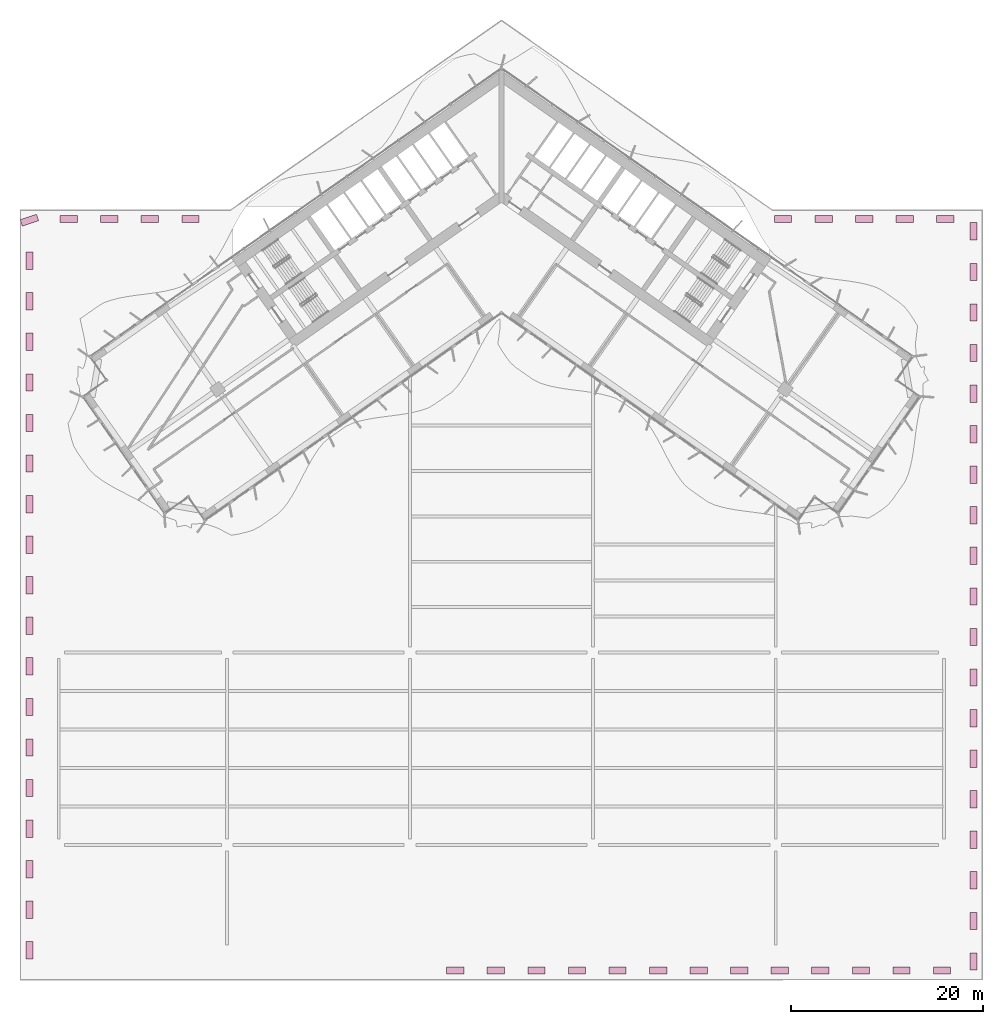
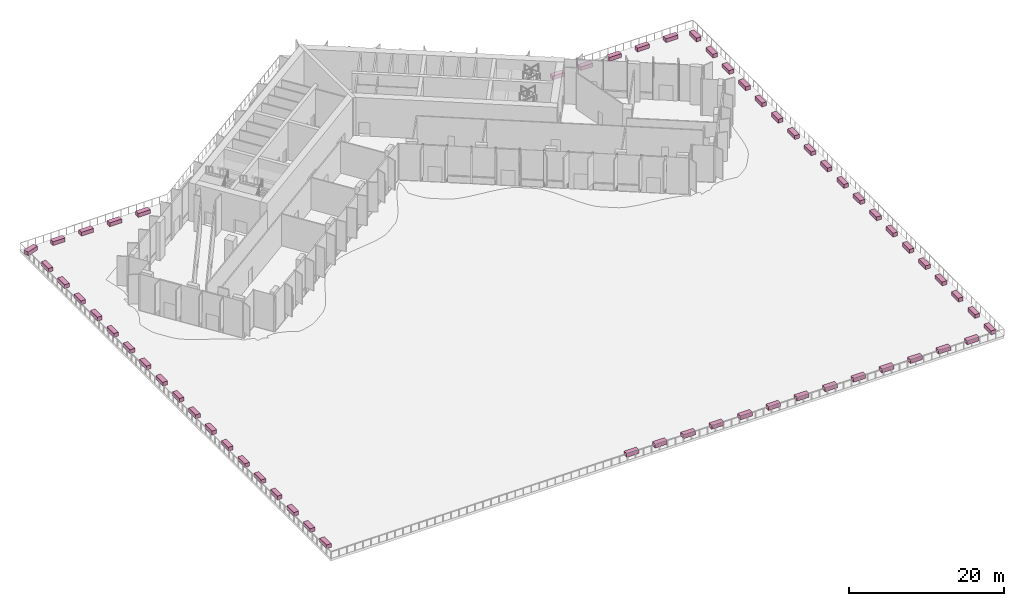
# One storey, part 27 of 27: 60 furniture elements.
"""IFC4 building model written with IfcOpenShell, lengths in metres."""

from ifc_helpers import new_model, si_unit, direction, frame, origin, origin_2d, place, context, subcontext, project, spatial, rectangle, extrude, material, type_object, element, save


model = new_model("IFC4")

# Units and contexts
model_context = context("Model", 3, precision=1e-05, world=origin(), true_north=direction((0.0, 1.0)))
body_context = subcontext(model_context, "Body", "Model", "MODEL_VIEW")
ifc_project = project(units=[si_unit("LENGTHUNIT", "METRE"), si_unit("AREAUNIT", "SQUARE_METRE"), si_unit("VOLUMEUNIT", "CUBIC_METRE"), si_unit("PLANEANGLEUNIT", "RADIAN"), si_unit("MASSUNIT", "GRAM", prefix="KILO")], contexts=[model_context])

# Site, building, storey
site_placement = place(None, origin())
site = spatial("IfcSite", under=ifc_project, at=site_placement, CompositionType="ELEMENT")
building_placement = place(site_placement, origin())
building = spatial("IfcBuilding", under=site, at=building_placement, Name="Tel Ilan Convention Tower", CompositionType="ELEMENT")
storey_placement = place(building_placement, frame((0.0, 0.0, 48.5)))
storey = spatial("IfcBuildingStorey", under=building, at=storey_placement, Name="L07", CompositionType="ELEMENT", Elevation=48.5)

# Furniture
ifc_material = material(Name="Concrete C30/37", Category="concrete")
furniture_type = type_object("IfcFurnitureType", Name="PLANTER 1800x700", AssemblyPlace="NOTDEFINED", PredefinedType="NOTDEFINED", material=ifc_material)
for number, where, z_axis, x_axis, name in (
    (1, (-49.050048828125, -78.942626953125, 0.0), (0.0, 0.0, 1.0), (0.0, 1.0, 0.0), "PLANTER"),
    (2, (-49.050048828125, -74.727783203125, 0.0), (0.0, 0.0, 1.0), (0.0, 1.0, 0.0), "PLANTER"),
    (3, (-49.050048828125, -70.51318359375, 0.0), (0.0, 0.0, 1.0), (0.0, 1.0, 0.0), "PLANTER"),
    (4, (-49.050048828125, -66.29833984375, 0.0), (0.0, 0.0, 1.0), (0.0, 1.0, 0.0), "PLANTER"),
    (5, (-49.050048828125, -62.08349609375, 0.0), (0.0, 0.0, 1.0), (0.0, 1.0, 0.0), "PLANTER"),
    (6, (-49.050048828125, -57.86865234375, 0.0), (0.0, 0.0, 1.0), (0.0, 1.0, 0.0), "PLANTER"),
    (7, (-49.050048828125, -53.654052734375, 0.0), (0.0, 0.0, 1.0), (0.0, 1.0, 0.0), "PLANTER"),
    (8, (-49.050048828125, -49.439208984375, 0.0), (0.0, 0.0, 1.0), (0.0, 1.0, 0.0), "PLANTER"),
    (9, (-49.050048828125, -45.224365234375, 0.0), (0.0, 0.0, 1.0), (0.0, 1.0, 0.0), "PLANTER"),
    (10, (-49.050048828125, -41.009765625, 0.0), (0.0, 0.0, 1.0), (0.0, 1.0, 0.0), "PLANTER"),
    (11, (-49.050048828125, -36.794921875, 0.0), (0.0, 0.0, 1.0), (0.0, 1.0, 0.0), "PLANTER"),
    (12, (-49.050048828125, -32.580078125, 0.0), (0.0, 0.0, 1.0), (0.0, 1.0, 0.0), "PLANTER"),
    (13, (-49.050048828125, -28.365234375, 0.0), (0.0, 0.0, 1.0), (0.0, 1.0, 0.0), "PLANTER"),
    (14, (-49.050048828125, -24.150634765625, 0.0), (0.0, 0.0, 1.0), (0.0, 1.0, 0.0), "PLANTER"),
    (15, (-49.050048828125, -19.935791015625, 0.0), (0.0, 0.0, 1.0), (0.0, 1.0, 0.0), "PLANTER"),
    (16, (-49.050048828125, -15.720947265625, 0.0), (0.0, 0.0, 1.0), (0.0, 1.0, 0.0), "PLANTER"),
    (17, (-49.050048828125, -11.50634765625, 0.0), (0.0, 0.0, 1.0), (0.0, 1.0, 0.0), "PLANTER"),
    (18, (-49.050048828125, -7.29150390625, 0.0), (0.0, 0.0, 1.0), (0.0, 1.0, 0.0), "PLANTER"),
    (19, (-49.050048828125, -3.07666015625, 0.0), (0.0, 0.0, 1.0), (0.946964217759, 0.321339027018, 0.0), "PLANTER"),
    (20, (-44.9619140625, -2.949951171875, 0.0), (0.0, 0.0, 1.0), (1.0, 0.0, 0.0), "PLANTER"),
    (21, (-40.7470703125, -2.949951171875, 0.0), (0.0, 0.0, 1.0), (1.0, 0.0, 0.0), "PLANTER"),
    (22, (-36.532470703125, -2.949951171875, 0.0), (0.0, 0.0, 1.0), (1.0, 0.0, 0.0), "PLANTER"),
    (23, (-32.317626953125, -2.949951171875, 0.0), (0.0, 0.0, 1.0), (1.0, 0.0, 0.0), "PLANTER"),
    (24, (29.262939453125, -2.949951171875, 0.0), (0.0, 0.0, 1.0), (1.0, 0.0, 0.0), "PLANTER"),
    (25, (33.477783203125, -2.949951171875, 0.0), (0.0, 0.0, 1.0), (1.0, 0.0, 0.0), "PLANTER"),
    (26, (37.692626953125, -2.949951171875, 0.0), (0.0, 0.0, 1.0), (1.0, 0.0, 0.0), "PLANTER"),
    (27, (41.9072265625, -2.949951171875, 0.0), (0.0, 0.0, 1.0), (1.0, 0.0, 0.0), "PLANTER"),
    (28, (46.1220703125, -2.949951171875, 0.0), (0.0, 0.0, 1.0), (1.0, 0.0, 0.0), "PLANTER"),
    (29, (49.050048828125, -4.23681640625, 0.0), (0.0, 0.0, 1.0), (0.0, -1.0, 0.0), "PLANTER"),
    (30, (49.050048828125, -8.45166015625, 0.0), (0.0, 0.0, 1.0), (0.0, -1.0, 0.0), "PLANTER"),
    (31, (49.050048828125, -12.66650390625, 0.0), (0.0, 0.0, 1.0), (0.0, -1.0, 0.0), "PLANTER"),
    (32, (49.050048828125, -16.881103515625, 0.0), (0.0, 0.0, 1.0), (0.0, -1.0, 0.0), "PLANTER"),
    (33, (49.050048828125, -21.095947265625, 0.0), (0.0, 0.0, 1.0), (0.0, -1.0, 0.0), "PLANTER"),
    (34, (49.050048828125, -25.310791015625, 0.0), (0.0, 0.0, 1.0), (0.0, -1.0, 0.0), "PLANTER"),
    (35, (49.050048828125, -29.525634765625, 0.0), (0.0, 0.0, 1.0), (0.0, -1.0, 0.0), "PLANTER"),
    (36, (49.050048828125, -33.740234375, 0.0), (0.0, 0.0, 1.0), (0.0, -1.0, 0.0), "PLANTER"),
    (37, (49.050048828125, -37.955078125, 0.0), (0.0, 0.0, 1.0), (0.0, -1.0, 0.0), "PLANTER"),
    (38, (49.050048828125, -42.169921875, 0.0), (0.0, 0.0, 1.0), (0.0, -1.0, 0.0), "PLANTER"),
    (39, (49.050048828125, -46.384521484375, 0.0), (0.0, 0.0, 1.0), (0.0, -1.0, 0.0), "PLANTER"),
    (40, (49.050048828125, -50.599365234375, 0.0), (0.0, 0.0, 1.0), (0.0, -1.0, 0.0), "PLANTER"),
    (41, (49.050048828125, -54.814208984375, 0.0), (0.0, 0.0, 1.0), (0.0, -1.0, 0.0), "PLANTER"),
    (42, (49.050048828125, -59.029052734375, 0.0), (0.0, 0.0, 1.0), (0.0, -1.0, 0.0), "PLANTER"),
    (43, (49.050048828125, -63.24365234375, 0.0), (0.0, 0.0, 1.0), (0.0, -1.0, 0.0), "PLANTER"),
    (44, (49.050048828125, -67.45849609375, 0.0), (0.0, 0.0, 1.0), (0.0, -1.0, 0.0), "PLANTER"),
    (45, (49.050048828125, -71.67333984375, 0.0), (0.0, 0.0, 1.0), (0.0, -1.0, 0.0), "PLANTER"),
    (46, (49.050048828125, -75.887939453125, 0.0), (0.0, 0.0, 1.0), (0.0, -1.0, 0.0), "PLANTER"),
    (47, (49.050048828125, -80.102783203125, 0.0), (0.0, 0.0, 1.0), (0.0, -1.0, 0.0), "PLANTER"),
    (48, (45.782470703125, -81.050048828125, 0.0), (0.0, 0.0, 1.0), (-1.0, 0.0, 0.0), "PLANTER"),
    (49, (41.567626953125, -81.050048828125, 0.0), (0.0, 0.0, 1.0), (-1.0, 0.0, 0.0), "PLANTER"),
    (50, (37.352783203125, -81.050048828125, 0.0), (0.0, 0.0, 1.0), (-1.0, 0.0, 0.0), "PLANTER"),
    (51, (33.13818359375, -81.050048828125, 0.0), (0.0, 0.0, 1.0), (-1.0, 0.0, 0.0), "PLANTER"),
    (52, (28.92333984375, -81.050048828125, 0.0), (0.0, 0.0, 1.0), (-1.0, 0.0, 0.0), "PLANTER"),
    (53, (24.70849609375, -81.050048828125, 0.0), (0.0, 0.0, 1.0), (-1.0, 0.0, 0.0), "PLANTER"),
    (54, (20.49365234375, -81.050048828125, 0.0), (0.0, 0.0, 1.0), (-1.0, 0.0, 0.0), "PLANTER"),
    (55, (16.279052734375, -81.050048828125, 0.0), (0.0, 0.0, 1.0), (-1.0, 0.0, 0.0), "PLANTER"),
    (56, (12.064208984375, -81.050048828125, 0.0), (0.0, 0.0, 1.0), (-1.0, 0.0, 0.0), "PLANTER"),
    (57, (7.849365234375, -81.050048828125, 0.0), (0.0, 0.0, 1.0), (-1.0, 0.0, 0.0), "PLANTER"),
    (58, (3.634765625, -81.050048828125, 0.0), (0.0, 0.0, 1.0), (-1.0, 0.0, 0.0), "PLANTER"),
    (59, (-0.580078125, -81.050048828125, 0.0), (0.0, 0.0, 1.0), (-1.0, 0.0, 0.0), "PLANTER"),
    (60, (-4.794921875, -81.050048828125, 0.0), (0.0, 0.0, 1.0), (-1.0, 0.0, 0.0), "PLANTER"),
):
    element("IfcFurniture", number, at=place(storey_placement, frame(where, z_axis=z_axis, x_axis=x_axis)), inside=storey, type_object=furniture_type, Name=name, PredefinedType="NOTDEFINED", context=body_context, shape_type="SweptSolid", body=[
        extrude(rectangle(XDim=1.800048828125, YDim=0.699951171875, at=origin_2d()), origin(), (0.0, 0.0, 1.0), 0.60009765625),
    ])

save(model, "model.ifc")
